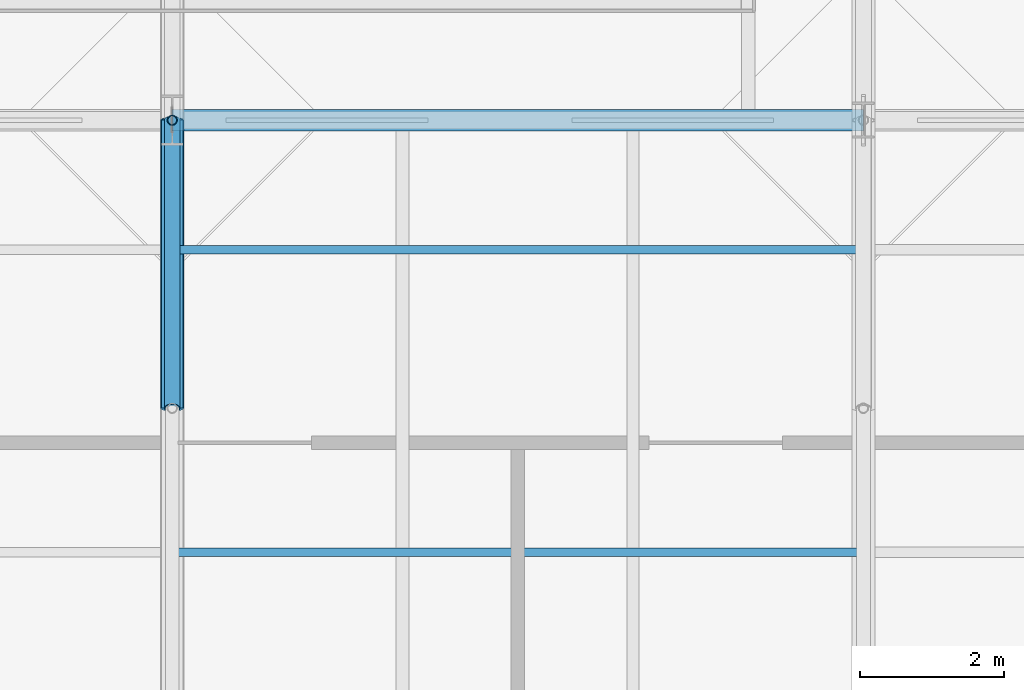
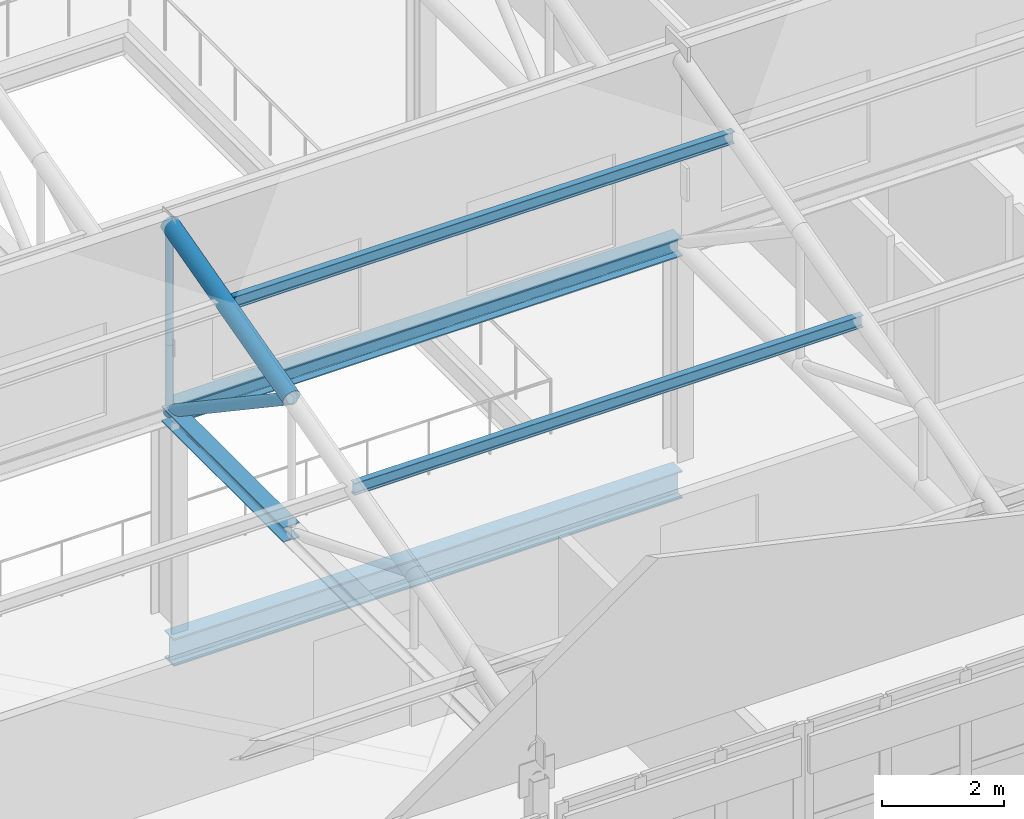
# One storey, part 24 of 89: 7 members, 2 beams.
"""IFC4 building model written with IfcOpenShell, lengths in metres."""

from ifc_helpers import new_model, si_unit, direction, frame, origin, origin_2d, place, context, subcontext, project, spatial, hollow_circle, i_section, extrude, material, material_profile, profile_set, type_object, element, save


model = new_model("IFC4")

# Units and contexts
model_context = context("Model", 3, precision=1e-05, world=origin(), true_north=direction((0.0, 1.0)))
body_context = subcontext(model_context, "Body", "Model", "MODEL_VIEW")
ifc_project = project(units=[si_unit("LENGTHUNIT", "METRE"), si_unit("AREAUNIT", "SQUARE_METRE"), si_unit("VOLUMEUNIT", "CUBIC_METRE"), si_unit("PLANEANGLEUNIT", "RADIAN"), si_unit("MASSUNIT", "GRAM", prefix="KILO")], contexts=[model_context])

# Site, building, storey
site_placement = place(None, origin())
site = spatial("IfcSite", under=ifc_project, at=site_placement, CompositionType="ELEMENT")
building_placement = place(site_placement, origin())
building = spatial("IfcBuilding", under=site, at=building_placement, Name="Zereglee Splitstone Museum", CompositionType="ELEMENT")
storey_placement = place(building_placement, frame((0.0, 0.0, 21.300048828125)))
storey = spatial("IfcBuildingStorey", under=building, at=storey_placement, Name="L04", CompositionType="ELEMENT", Elevation=21.300048828125)

# Members
ifc_material_1 = material(Name="Steel S355J2H", Category="steel")
ifc_material_profile_1 = material_profile(ifc_material_1, hollow_circle(Radius=0.109619140625, WallThickness=0.010009765625, at=origin_2d()), Name="CHS 219.1x10")
ifc_profile_set_1 = profile_set([ifc_material_profile_1], Name="Steel S355J2H")
member_type_1 = type_object("IfcMemberType", Name="TB-03", PredefinedType="BRACE", material=ifc_profile_set_1)
member_1_placement = place(storey_placement, frame((106.800048828125, 21.60009765625, 4.199951171875), z_axis=(0.0, -0.830448263685, 0.557095755991), x_axis=(1.0, 0.0, 0.0)))
element("IfcMember", 1, at=member_1_placement, inside=storey, type_object=member_type_1, Name="Roof Truss ST-04 Diagonal 1.3", PredefinedType="BRACE", context=body_context, shape_type="SweptSolid", body=[
    extrude(hollow_circle(Radius=0.109619140625, WallThickness=0.010009765625, at=origin_2d()), origin(), (0.0, 0.0, 1.0), 4.816650390625),
])
ifc_material_profile_2 = material_profile(ifc_material_1, hollow_circle(Radius=0.161865234375, WallThickness=0.01611328125, at=origin_2d()), Name="CHS 323.9x16")
ifc_profile_set_2 = profile_set([ifc_material_profile_2], Name="Steel S355J2H")
member_type_2 = type_object("IfcMemberType", Name="TC-05", PredefinedType="CHORD", material=ifc_profile_set_2)
member_2_placement = place(storey_placement, frame((106.800048828125, 17.60009765625, 6.88330078125), z_axis=(0.0, 0.966235918422, 0.257658979955), x_axis=(-1.0, 0.0, 0.0)))
element("IfcMember", 2, at=member_2_placement, inside=storey, type_object=member_type_2, Name="Roof Truss ST-04 Top Chord 1.3", PredefinedType="CHORD", context=body_context, shape_type="SweptSolid", body=[
    extrude(hollow_circle(Radius=0.161865234375, WallThickness=0.01611328125, at=origin_2d()), origin(), (0.0, 0.0, 1.0), 4.139892578125),
])
ifc_material_2 = material(Name="Steel S355J2", Category="steel")
ifc_material_profile_3 = material_profile(ifc_material_2, i_section(OverallWidth=0.300048828125, OverallDepth=0.300048828125, WebThickness=0.010986328125, FlangeThickness=0.01904296875, FilletRadius=0.027099609375, at=origin_2d()), Name="HE 300 B")
ifc_profile_set_3 = profile_set([ifc_material_profile_3], Name="Steel S355J2")
member_type_3 = type_object("IfcMemberType", Name="TC-07", PredefinedType="CHORD", material=ifc_profile_set_3)
member_3_placement = place(storey_placement, frame((106.800048828125, 17.60009765625, 4.199951171875), z_axis=(0.0, 1.0, 0.0), x_axis=(-1.0, 0.0, 0.0)))
element("IfcMember", 3, at=member_3_placement, inside=storey, type_object=member_type_3, Name="Roof Truss ST-04 Bottom Chord 1.3", PredefinedType="CHORD", context=body_context, shape_type="SweptSolid", body=[
    extrude(i_section(OverallWidth=0.300048828125, OverallDepth=0.300048828125, WebThickness=0.010986328125, FlangeThickness=0.01904296875, FilletRadius=0.027099609375, at=origin_2d()), origin(), (0.0, 0.0, 1.0), 4.0),
])

# Beams
ifc_material_profile_4 = material_profile(ifc_material_2, i_section(OverallWidth=0.300048828125, OverallDepth=0.360107421875, WebThickness=0.012451171875, FlangeThickness=0.0224609375, FilletRadius=0.027099609375, at=origin_2d()), Name="HE 360 B")
ifc_profile_set_4 = profile_set([ifc_material_profile_4], Name="Steel S355J2")
beam_type_1 = type_object("IfcBeamType", Name="BG-14", PredefinedType="BEAM", material=ifc_profile_set_4)
beam_1_placement = place(storey_placement, frame((106.800048828125, 21.60009765625, 4.199951171875), z_axis=(1.0, 0.0, 0.0), x_axis=(0.0, 1.0, 0.0)))
element("IfcBeam", 4, at=beam_1_placement, inside=storey, type_object=beam_type_1, Name="Sawtooth Monitor Sill Beam B4-S1", PredefinedType="BEAM", context=body_context, shape_type="SweptSolid", body=[
    extrude(i_section(OverallWidth=0.300048828125, OverallDepth=0.360107421875, WebThickness=0.012451171875, FlangeThickness=0.0224609375, FilletRadius=0.027099609375, at=origin_2d()), origin(), (0.0, 0.0, 1.0), 9.599853515625),
])
ifc_material_profile_5 = material_profile(ifc_material_2, i_section(OverallWidth=0.300048828125, OverallDepth=0.550048828125, WebThickness=0.014892578125, FlangeThickness=0.029052734375, FilletRadius=0.027099609375, at=origin_2d()), Name="HE 550 B")
ifc_profile_set_5 = profile_set([ifc_material_profile_5], Name="Steel S355J2")
beam_type_2 = type_object("IfcBeamType", Name="BG-11", PredefinedType="BEAM", material=ifc_profile_set_5)
beam_2_placement = place(storey_placement, frame((106.800048828125, 21.60009765625, -0.53515625), z_axis=(1.0, 0.0, 0.0), x_axis=(0.0, 1.0, 0.0)))
element("IfcBeam", 5, at=beam_2_placement, inside=storey, type_object=beam_type_2, Name="Primary Girder L04 C (106.8-116.4)", PredefinedType="BEAM", context=body_context, shape_type="SweptSolid", body=[
    extrude(i_section(OverallWidth=0.300048828125, OverallDepth=0.550048828125, WebThickness=0.014892578125, FlangeThickness=0.029052734375, FilletRadius=0.027099609375, at=origin_2d()), origin(), (0.0, 0.0, 1.0), 9.599853515625),
])

# Members
ifc_material_profile_6 = material_profile(ifc_material_1, hollow_circle(Radius=0.06982421875, WallThickness=0.008056640625, at=origin_2d()), Name="CHS 139.7x8")
ifc_profile_set_6 = profile_set([ifc_material_profile_6], Name="Steel S355J2H")
member_type_4 = type_object("IfcMemberType", Name="TP-03", PredefinedType="POST", material=ifc_profile_set_6)
member_4_placement = place(storey_placement, frame((106.800048828125, 21.60009765625, 4.199951171875), z_axis=(0.0, 0.0, 1.0), x_axis=(1.0, 0.0, 0.0)))
element("IfcMember", 6, at=member_4_placement, inside=storey, type_object=member_type_4, Name="Roof Truss ST-04 Post 1.3", PredefinedType="POST", context=body_context, shape_type="SweptSolid", body=[
    extrude(hollow_circle(Radius=0.06982421875, WallThickness=0.008056640625, at=origin_2d()), origin(), (0.0, 0.0, 1.0), 3.75),
])
member_5_placement = place(storey_placement, frame((106.800048828125, 21.60009765625, 4.199951171875), z_axis=(0.0, 0.0, 1.0), x_axis=(1.0, 0.0, 0.0)))
element("IfcMember", 7, at=member_5_placement, inside=storey, type_object=member_type_4, Name="Roof Truss ST-04 Post 2.0", PredefinedType="POST", context=body_context, shape_type="SweptSolid", body=[
    extrude(hollow_circle(Radius=0.06982421875, WallThickness=0.008056640625, at=origin_2d()), origin(), (0.0, 0.0, 1.0), 1.35009765625),
])
ifc_material_profile_7 = material_profile(ifc_material_2, i_section(OverallWidth=0.1201171875, OverallDepth=0.239990234375, WebThickness=0.006103515625, FlangeThickness=0.009765625, FilletRadius=0.014892578125, at=origin_2d()), Name="IPE 240")
ifc_profile_set_7 = profile_set([ifc_material_profile_7], Name="Steel S355J2")
member_type_5 = type_object("IfcMemberType", Name="PR-03", PredefinedType="PURLIN", material=ifc_profile_set_7)
for number, where, z_axis, x_axis, name in (
    (8, (106.800048828125, 15.60009765625, 6.30419921875), (1.0, 0.0, 0.0), (0.0, 1.0, 0.0), "Sawtooth Roof Purlin B4-S1-2"),
    (9, (106.800048828125, 19.800048828125, 7.424072265625), (1.0, 0.0, 0.0), (0.0, 1.0, 0.0), "Sawtooth Roof Purlin B4-S1-3"),
):
    element("IfcMember", number, at=place(storey_placement, frame(where, z_axis=z_axis, x_axis=x_axis)), inside=storey, type_object=member_type_5, Name=name, PredefinedType="PURLIN", context=body_context, shape_type="SweptSolid", body=[
        extrude(i_section(OverallWidth=0.1201171875, OverallDepth=0.239990234375, WebThickness=0.006103515625, FlangeThickness=0.009765625, FilletRadius=0.014892578125, at=origin_2d()), origin(), (0.0, 0.0, 1.0), 9.599853515625),
    ])

save(model, "model.ifc")
